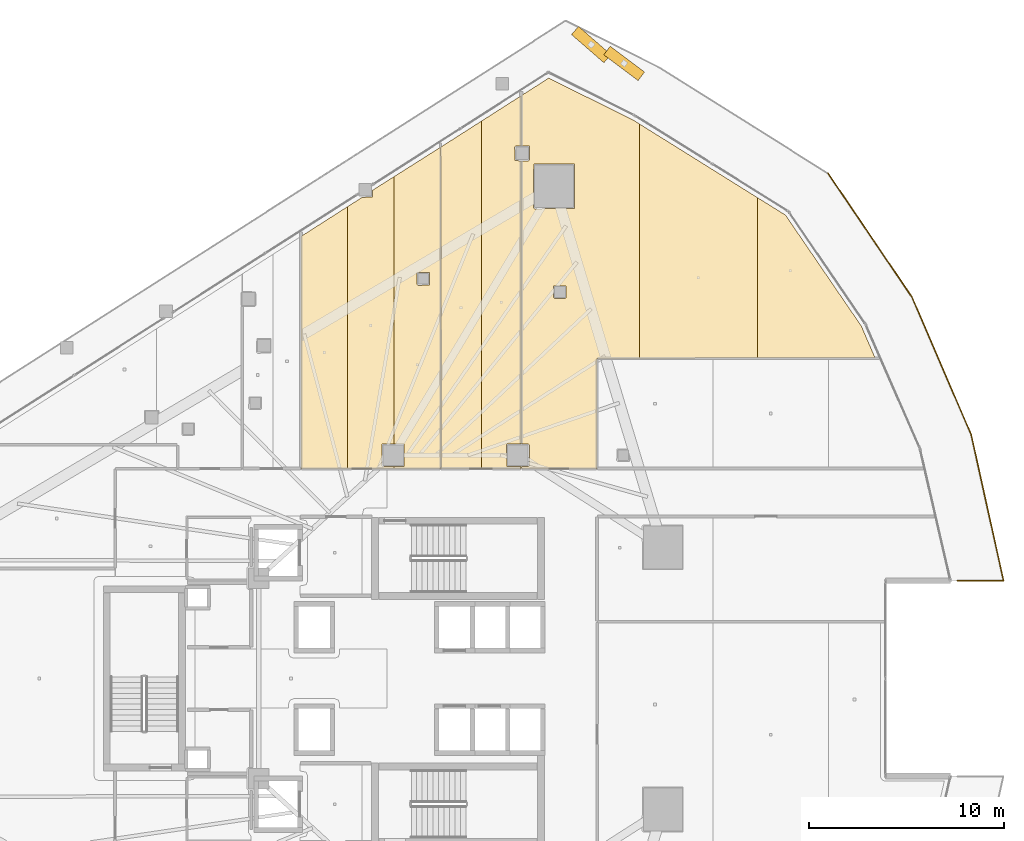
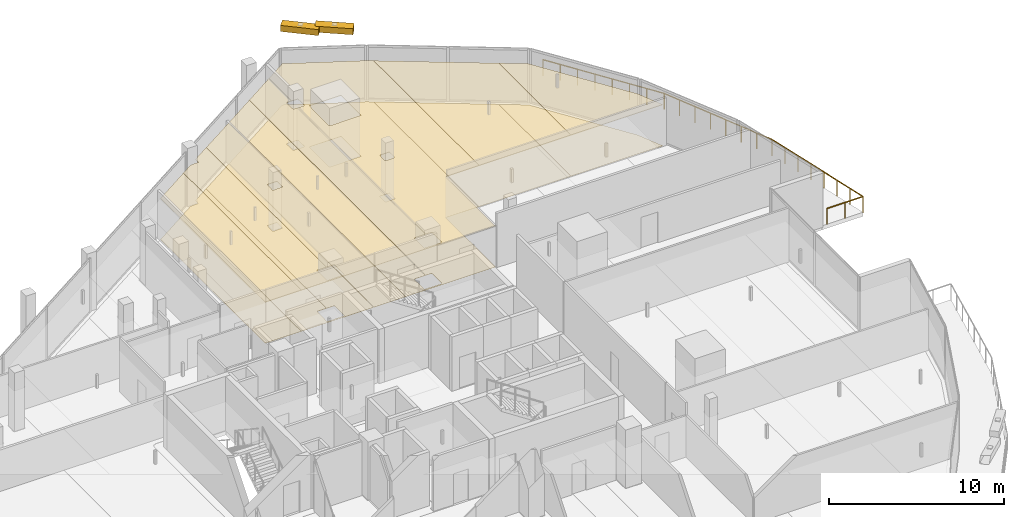
# One storey, part 45 of 45: 16 coverings, 2 shading devices, 1 railing.
"""IFC4 building model written with IfcOpenShell, lengths in metres."""

from ifc_helpers import new_model, si_unit, direction, frame, origin, origin_2d, place, context, subcontext, project, spatial, polyline, rectangle, circle, outline, extrude, material, layer, layer_set, type_object, element, save


model = new_model("IFC4")

# Units and contexts
model_context = context("Model", 3, precision=1e-05, world=origin(), true_north=direction((0.0, 1.0)))
body_context = subcontext(model_context, "Body", "Model", "MODEL_VIEW")
ifc_project = project(units=[si_unit("LENGTHUNIT", "METRE"), si_unit("AREAUNIT", "SQUARE_METRE"), si_unit("VOLUMEUNIT", "CUBIC_METRE"), si_unit("PLANEANGLEUNIT", "RADIAN"), si_unit("MASSUNIT", "GRAM", prefix="KILO")], contexts=[model_context])

# Site, building, storey
site_placement = place(None, origin())
site = spatial("IfcSite", under=ifc_project, at=site_placement, CompositionType="ELEMENT")
building_placement = place(site_placement, origin())
building = spatial("IfcBuilding", under=site, at=building_placement, Name="Qorvath Tower", CompositionType="ELEMENT")
storey_placement = place(building_placement, frame((0.0, 0.0, 109.800048828125)))
storey = spatial("IfcBuildingStorey", under=building, at=storey_placement, Name="L24", CompositionType="ELEMENT", Elevation=109.800048828125)

# Coverings
ifc_material_1 = material(Name="Acoustic mineral fibre ceiling tile", Category="gypsum")
ifc_layer_1 = layer(ifc_material_1, 0.030029296875)
ifc_layer_set_1 = layer_set([ifc_layer_1], Name="COV-CEIL")
covering_type_1 = type_object("IfcCoveringType", Name="COV-CEIL", PredefinedType="CEILING", material=ifc_layer_set_1)
covering_1_placement = place(storey_placement, frame((0.0, 0.0, 2.849853515625)))
element("IfcCovering", 1, at=covering_1_placement, inside=storey, type_object=covering_type_1, Name="L24 Suspended Acoustic Ceiling 014", PredefinedType="CEILING", context=body_context, shape_type="SweptSolid", body=[
    extrude(outline(polyline([(-25.9365234375, 10.762939453125), (-25.9365234375, 24.19677734375), (-28.318359375, 22.674560546875), (-28.318359375, 10.762939453125), (-25.9365234375, 10.762939453125)])), origin(), (0.0, 0.0, 1.0), 0.030029296875),
])
covering_2_placement = place(storey_placement, frame((0.0, 0.0, 2.849853515625)))
element("IfcCovering", 2, at=covering_2_placement, inside=storey, type_object=covering_type_1, Name="L24 Suspended Acoustic Ceiling 015", PredefinedType="CEILING", context=body_context, shape_type="SweptSolid", body=[
    extrude(outline(polyline([(-23.554931640625, 10.762939453125), (-23.554931640625, 10.874267578125), (-24.125, 10.864990234375), (-24.18505859375, 10.925048828125), (-24.16748046875, 12.017333984375), (-23.554931640625, 12.017333984375), (-23.554931640625, 25.735107421875), (-24.652587890625, 25.040771484375), (-24.670166015625, 24.69140625), (-25.190185546875, 24.673828125), (-25.9365234375, 24.19677734375), (-25.9365234375, 10.762939453125), (-23.554931640625, 10.762939453125)])), origin(), (0.0, 0.0, 1.0), 0.030029296875),
])
covering_3_placement = place(storey_placement, frame((0.0, 0.0, 2.849853515625)))
element("IfcCovering", 3, at=covering_3_placement, inside=storey, type_object=covering_type_1, Name="L24 Suspended Acoustic Ceiling 016", PredefinedType="CEILING", context=body_context, shape_type="SweptSolid", body=[
    extrude(outline(polyline([(-21.173095703125, 10.762939453125), (-21.176513671875, 27.239501953125), (-23.554931640625, 25.735107421875), (-23.554931640625, 12.017333984375), (-23.032470703125, 12.017333984375), (-23.032470703125, 10.882568359375), (-23.554931640625, 10.874267578125), (-23.554931640625, 10.762939453125), (-21.173095703125, 10.762939453125)]), holes=[polyline([(-22.38818359375, 20.219970703125), (-22.37060546875, 20.812255859375), (-21.73583984375, 20.812255859375), (-21.73583984375, 20.177490234375), (-22.328125, 20.159912109375), (-22.38818359375, 20.219970703125)])]), origin(), (0.0, 0.0, 1.0), 0.030029296875),
])
covering_4_placement = place(storey_placement, frame((0.0, 0.0, 2.849853515625)))
element("IfcCovering", 4, at=covering_4_placement, inside=storey, type_object=covering_type_1, Name="L24 Suspended Acoustic Ceiling 017", PredefinedType="CEILING", context=body_context, shape_type="SweptSolid", body=[
    extrude(outline(polyline([(-19.071533203125, 10.762939453125), (-19.071533203125, 28.58447265625), (-21.158447265625, 27.250732421875), (-21.155029296875, 10.762939453125), (-19.071533203125, 10.762939453125)])), origin(), (0.0, 0.0, 1.0), 0.030029296875),
])
covering_5_placement = place(storey_placement, frame((0.0, 0.0, 2.849853515625)))
element("IfcCovering", 5, at=covering_5_placement, inside=storey, type_object=covering_type_1, Name="L24 Suspended Acoustic Ceiling 018", PredefinedType="CEILING", context=body_context, shape_type="SweptSolid", body=[
    extrude(outline(polyline([(-17.72509765625, 12.034912109375), (-17.03662109375, 12.034912109375), (-17.03662109375, 26.544189453125), (-17.3486328125, 26.561767578125), (-17.3662109375, 27.254150390625), (-17.30615234375, 27.314208984375), (-17.03662109375, 27.314208984375), (-17.03662109375, 29.885009765625), (-19.071533203125, 28.58447265625), (-19.071533203125, 10.762939453125), (-17.03662109375, 10.762939453125), (-17.03662109375, 10.864990234375), (-17.767333984375, 10.882568359375), (-17.784912109375, 11.97509765625), (-17.72509765625, 12.034912109375)])), origin(), (0.0, 0.0, 1.0), 0.030029296875),
])
covering_6_placement = place(storey_placement, frame((0.0, 0.0, 2.849853515625)))
element("IfcCovering", 6, at=covering_6_placement, inside=storey, type_object=covering_type_1, Name="L24 Suspended Acoustic Ceiling 019", PredefinedType="CEILING", context=body_context, shape_type="SweptSolid", body=[
    extrude(outline(polyline([(-10.971923828125, 16.4208984375), (-10.971923828125, 28.441162109375), (-11.31396484375, 28.65478515625), (-15.62451171875, 30.78759765625), (-17.0185546875, 29.896484375), (-17.0185546875, 27.314208984375), (-16.61376953125, 27.296630859375), (-16.59619140625, 26.604248046875), (-16.65625, 26.544189453125), (-17.0185546875, 26.544189453125), (-17.0185546875, 12.034912109375), (-16.675048828125, 12.034912109375), (-16.614990234375, 11.97509765625), (-16.614990234375, 10.925048828125), (-16.675048828125, 10.864990234375), (-17.0185546875, 10.864990234375), (-17.0185546875, 10.762939453125), (-13.155029296875, 10.762939453125), (-13.14990234375, 16.420166015625), (-10.971923828125, 16.4208984375)]), holes=[polyline([(-16.404296875, 24.14599609375), (-16.38671875, 26.388427734375), (-14.3017578125, 26.388427734375), (-14.3017578125, 24.103759765625), (-16.34423828125, 24.086181640625), (-16.404296875, 24.14599609375)]), polyline([(-15.381103515625, 19.543212890625), (-15.363525390625, 20.135498046875), (-14.728759765625, 20.135498046875), (-14.728759765625, 19.500732421875), (-15.321044921875, 19.483154296875), (-15.381103515625, 19.543212890625)])]), origin(), (0.0, 0.0, 1.0), 0.030029296875),
])
covering_7_placement = place(storey_placement, frame((0.0, 0.0, 2.849853515625)))
element("IfcCovering", 7, at=covering_7_placement, inside=storey, type_object=covering_type_1, Name="L24 Suspended Acoustic Ceiling 020", PredefinedType="CEILING", context=body_context, shape_type="SweptSolid", body=[
    extrude(outline(polyline([(-4.925048828125, 16.423583984375), (-4.925048828125, 24.665771484375), (-10.971923828125, 28.441162109375), (-10.971923828125, 16.4208984375), (-4.925048828125, 16.423583984375)])), origin(), (0.0, 0.0, 1.0), 0.030029296875),
])
covering_8_placement = place(storey_placement, frame((0.0, 0.0, 2.849853515625)))
element("IfcCovering", 8, at=covering_8_placement, inside=storey, type_object=covering_type_1, Name="L24 Suspended Acoustic Ceiling 021", PredefinedType="CEILING", context=body_context, shape_type="SweptSolid", body=[
    extrude(outline(polyline([(-3.474853515625, 23.760498046875), (-4.925048828125, 24.665771484375), (-4.925048828125, 16.423583984375), (1.12158203125, 16.426025390625), (0.4150390625, 18.068115234375), (-3.474853515625, 23.760498046875)])), origin(), (0.0, 0.0, 1.0), 0.030029296875),
])
ifc_material_2 = material(Name="Low-VOC modular carpet tile", Category="textile")
ifc_layer_2 = layer(ifc_material_2, 0.014892578125)
ifc_layer_set_2 = layer_set([ifc_layer_2], Name="COV-FLOOR-CPT")
covering_type_2 = type_object("IfcCoveringType", Name="COV-FLOOR-CPT", PredefinedType="FLOORING", material=ifc_layer_set_2)
covering_9_placement = place(storey_placement, origin())
element("IfcCovering", 9, at=covering_9_placement, inside=storey, type_object=covering_type_2, Name="L24 Floor Finish 014", PredefinedType="FLOORING", context=body_context, shape_type="SweptSolid", body=[
    extrude(outline(polyline([(-25.9365234375, 10.762939453125), (-25.9365234375, 24.19677734375), (-28.318359375, 22.674560546875), (-28.318359375, 10.762939453125), (-25.9365234375, 10.762939453125)])), origin(), (0.0, 0.0, 1.0), 0.014892578125),
])
covering_10_placement = place(storey_placement, origin())
element("IfcCovering", 10, at=covering_10_placement, inside=storey, type_object=covering_type_2, Name="L24 Floor Finish 015", PredefinedType="FLOORING", context=body_context, shape_type="SweptSolid", body=[
    extrude(outline(polyline([(-23.554931640625, 10.762939453125), (-23.554931640625, 10.874267578125), (-24.125, 10.864990234375), (-24.18505859375, 10.925048828125), (-24.16748046875, 12.017333984375), (-23.554931640625, 12.017333984375), (-23.554931640625, 25.735107421875), (-24.652587890625, 25.040771484375), (-24.670166015625, 24.69140625), (-25.190185546875, 24.673828125), (-25.9365234375, 24.19677734375), (-25.9365234375, 10.762939453125), (-23.554931640625, 10.762939453125)])), origin(), (0.0, 0.0, 1.0), 0.014892578125),
])
covering_11_placement = place(storey_placement, origin())
element("IfcCovering", 11, at=covering_11_placement, inside=storey, type_object=covering_type_2, Name="L24 Floor Finish 016", PredefinedType="FLOORING", context=body_context, shape_type="SweptSolid", body=[
    extrude(outline(polyline([(-21.173095703125, 10.762939453125), (-21.176513671875, 27.239501953125), (-23.554931640625, 25.735107421875), (-23.554931640625, 12.017333984375), (-23.032470703125, 12.017333984375), (-23.032470703125, 10.882568359375), (-23.554931640625, 10.874267578125), (-23.554931640625, 10.762939453125), (-21.173095703125, 10.762939453125)]), holes=[polyline([(-22.38818359375, 20.219970703125), (-22.37060546875, 20.812255859375), (-21.73583984375, 20.812255859375), (-21.73583984375, 20.177490234375), (-22.328125, 20.159912109375), (-22.38818359375, 20.219970703125)])]), origin(), (0.0, 0.0, 1.0), 0.014892578125),
])
covering_12_placement = place(storey_placement, origin())
element("IfcCovering", 12, at=covering_12_placement, inside=storey, type_object=covering_type_2, Name="L24 Floor Finish 017", PredefinedType="FLOORING", context=body_context, shape_type="SweptSolid", body=[
    extrude(outline(polyline([(-19.071533203125, 10.762939453125), (-19.071533203125, 28.58447265625), (-21.158447265625, 27.250732421875), (-21.155029296875, 10.762939453125), (-19.071533203125, 10.762939453125)])), origin(), (0.0, 0.0, 1.0), 0.014892578125),
])
covering_13_placement = place(storey_placement, origin())
element("IfcCovering", 13, at=covering_13_placement, inside=storey, type_object=covering_type_2, Name="L24 Floor Finish 018", PredefinedType="FLOORING", context=body_context, shape_type="SweptSolid", body=[
    extrude(outline(polyline([(-17.72509765625, 12.034912109375), (-17.03662109375, 12.034912109375), (-17.03662109375, 26.544189453125), (-17.3486328125, 26.561767578125), (-17.3662109375, 27.254150390625), (-17.30615234375, 27.314208984375), (-17.03662109375, 27.314208984375), (-17.03662109375, 29.885009765625), (-19.071533203125, 28.58447265625), (-19.071533203125, 10.762939453125), (-17.03662109375, 10.762939453125), (-17.03662109375, 10.864990234375), (-17.767333984375, 10.882568359375), (-17.784912109375, 11.97509765625), (-17.72509765625, 12.034912109375)])), origin(), (0.0, 0.0, 1.0), 0.014892578125),
])
covering_14_placement = place(storey_placement, origin())
element("IfcCovering", 14, at=covering_14_placement, inside=storey, type_object=covering_type_2, Name="L24 Floor Finish 019", PredefinedType="FLOORING", context=body_context, shape_type="SweptSolid", body=[
    extrude(outline(polyline([(-10.971923828125, 16.4208984375), (-10.971923828125, 28.441162109375), (-11.31396484375, 28.65478515625), (-15.62451171875, 30.78759765625), (-17.0185546875, 29.896484375), (-17.0185546875, 27.314208984375), (-16.61376953125, 27.296630859375), (-16.59619140625, 26.604248046875), (-16.65625, 26.544189453125), (-17.0185546875, 26.544189453125), (-17.0185546875, 12.034912109375), (-16.675048828125, 12.034912109375), (-16.614990234375, 11.97509765625), (-16.614990234375, 10.925048828125), (-16.675048828125, 10.864990234375), (-17.0185546875, 10.864990234375), (-17.0185546875, 10.762939453125), (-13.155029296875, 10.762939453125), (-13.14990234375, 16.420166015625), (-10.971923828125, 16.4208984375)]), holes=[polyline([(-16.404296875, 24.14599609375), (-16.38671875, 26.388427734375), (-14.3017578125, 26.388427734375), (-14.3017578125, 24.103759765625), (-16.34423828125, 24.086181640625), (-16.404296875, 24.14599609375)]), polyline([(-15.381103515625, 19.543212890625), (-15.363525390625, 20.135498046875), (-14.728759765625, 20.135498046875), (-14.728759765625, 19.500732421875), (-15.321044921875, 19.483154296875), (-15.381103515625, 19.543212890625)])]), origin(), (0.0, 0.0, 1.0), 0.014892578125),
])
covering_15_placement = place(storey_placement, origin())
element("IfcCovering", 15, at=covering_15_placement, inside=storey, type_object=covering_type_2, Name="L24 Floor Finish 020", PredefinedType="FLOORING", context=body_context, shape_type="SweptSolid", body=[
    extrude(outline(polyline([(-4.925048828125, 16.423583984375), (-4.925048828125, 24.665771484375), (-10.971923828125, 28.441162109375), (-10.971923828125, 16.4208984375), (-4.925048828125, 16.423583984375)])), origin(), (0.0, 0.0, 1.0), 0.014892578125),
])
covering_16_placement = place(storey_placement, origin())
element("IfcCovering", 16, at=covering_16_placement, inside=storey, type_object=covering_type_2, Name="L24 Floor Finish 021", PredefinedType="FLOORING", context=body_context, shape_type="SweptSolid", body=[
    extrude(outline(polyline([(-3.474853515625, 23.760498046875), (-4.925048828125, 24.665771484375), (-4.925048828125, 16.423583984375), (1.12158203125, 16.426025390625), (0.4150390625, 18.068115234375), (-3.474853515625, 23.760498046875)])), origin(), (0.0, 0.0, 1.0), 0.014892578125),
])

# Railing
ifc_material_3 = material(Name="Laminated safety glass and stainless steel AISI 316", Category="steel")
railing_type = type_object("IfcRailingType", Name="RL-EXT-GRD", PredefinedType="GUARDRAIL", material=ifc_material_3)
railing_placement = place(storey_placement, frame((-1.291015625, 25.9052734375, 0.0)))
element("IfcRailing", 17, at=railing_placement, inside=storey, type_object=railing_type, Name="Loggia Perimeter Guardrail L24-1.1", PredefinedType="GUARDRAIL", context=body_context, shape_type="SweptSolid", body=[
    extrude(circle(Radius=0.02392578125, at=origin_2d()), frame((0.0, 0.0, 1.09619140625), z_axis=(0.560822820527, -0.827935845326, 0.0), x_axis=(0.827935845326, 0.560822820527, 0.0)), (0.0, 0.0, 1.0), 7.673828125),
    extrude(circle(Radius=0.02392578125, at=origin_2d()), frame((4.3037109375, -6.353515625, 1.09619140625), z_axis=(0.395466178511, -0.918480539616, 0.0), x_axis=(0.918480539616, 0.395466178511, 0.0)), (0.0, 0.0, 1.0), 7.673583984375),
    extrude(circle(Radius=0.02392578125, at=origin_2d()), frame((7.33837890625, -13.401611328125, 1.09619140625), z_axis=(0.216088212472, -0.976373844606, 0.0), x_axis=(0.976373844606, 0.216088212472, 0.0)), (0.0, 0.0, 1.0), 7.673828125),
    extrude(circle(Radius=0.02392578125, at=origin_2d()), frame((8.99658203125, -20.89404296875, 1.09619140625), z_axis=(-1.0, 0.0, 0.0), x_axis=(0.0, -1.0, 0.0)), (0.0, 0.0, 1.0), 2.366455078125),
    extrude(circle(Radius=0.02099609375, at=origin_2d()), origin(), (0.0, 0.0, 1.0), 1.072021484375),
    extrude(circle(Radius=0.02099609375, at=origin_2d()), frame((0.61474609375, -0.90771484375, 0.0)), (0.0, 0.0, 1.0), 1.072021484375),
    extrude(circle(Radius=0.02099609375, at=origin_2d()), frame((1.229736328125, -1.815185546875, 0.0)), (0.0, 0.0, 1.0), 1.072021484375),
    extrude(circle(Radius=0.02099609375, at=origin_2d()), frame((1.844482421875, -2.722900390625, 0.0)), (0.0, 0.0, 1.0), 1.072021484375),
    extrude(circle(Radius=0.02099609375, at=origin_2d()), frame((2.459228515625, -3.630615234375, 0.0)), (0.0, 0.0, 1.0), 1.072021484375),
    extrude(circle(Radius=0.02099609375, at=origin_2d()), frame((3.073974609375, -4.538330078125, 0.0)), (0.0, 0.0, 1.0), 1.072021484375),
    extrude(circle(Radius=0.02099609375, at=origin_2d()), frame((3.68896484375, -5.44580078125, 0.0)), (0.0, 0.0, 1.0), 1.072021484375),
    extrude(circle(Radius=0.02099609375, at=origin_2d()), frame((4.3037109375, -6.353515625, 0.0)), (0.0, 0.0, 1.0), 1.072021484375),
    extrude(circle(Radius=0.02099609375, at=origin_2d()), frame((4.7373046875, -7.3603515625, 0.0)), (0.0, 0.0, 1.0), 1.072021484375),
    extrude(circle(Radius=0.02099609375, at=origin_2d()), frame((5.170654296875, -8.3671875, 0.0)), (0.0, 0.0, 1.0), 1.072021484375),
    extrude(circle(Radius=0.02099609375, at=origin_2d()), frame((5.604248046875, -9.3740234375, 0.0)), (0.0, 0.0, 1.0), 1.072021484375),
    extrude(circle(Radius=0.02099609375, at=origin_2d()), frame((6.037841796875, -10.381103515625, 0.0)), (0.0, 0.0, 1.0), 1.072021484375),
    extrude(circle(Radius=0.02099609375, at=origin_2d()), frame((6.471435546875, -11.387939453125, 0.0)), (0.0, 0.0, 1.0), 1.072021484375),
    extrude(circle(Radius=0.02099609375, at=origin_2d()), frame((6.90478515625, -12.394775390625, 0.0)), (0.0, 0.0, 1.0), 1.072021484375),
    extrude(circle(Radius=0.02099609375, at=origin_2d()), frame((7.33837890625, -13.401611328125, 0.0)), (0.0, 0.0, 1.0), 1.072021484375),
    extrude(circle(Radius=0.02099609375, at=origin_2d()), frame((7.5751953125, -14.471923828125, 0.0)), (0.0, 0.0, 1.0), 1.072021484375),
    extrude(circle(Radius=0.02099609375, at=origin_2d()), frame((7.812255859375, -15.542236328125, 0.0)), (0.0, 0.0, 1.0), 1.072021484375),
    extrude(circle(Radius=0.02099609375, at=origin_2d()), frame((8.049072265625, -16.612548828125, 0.0)), (0.0, 0.0, 1.0), 1.072021484375),
    extrude(circle(Radius=0.02099609375, at=origin_2d()), frame((8.285888671875, -17.68310546875, 0.0)), (0.0, 0.0, 1.0), 1.072021484375),
    extrude(circle(Radius=0.02099609375, at=origin_2d()), frame((8.522705078125, -18.75341796875, 0.0)), (0.0, 0.0, 1.0), 1.072021484375),
    extrude(circle(Radius=0.02099609375, at=origin_2d()), frame((8.759765625, -19.82373046875, 0.0)), (0.0, 0.0, 1.0), 1.072021484375),
    extrude(circle(Radius=0.02099609375, at=origin_2d()), frame((8.99658203125, -20.89404296875, 0.0)), (0.0, 0.0, 1.0), 1.072021484375),
    extrude(circle(Radius=0.02099609375, at=origin_2d()), frame((7.8134765625, -20.89404296875, 0.0)), (0.0, 0.0, 1.0), 1.072021484375),
    extrude(circle(Radius=0.02099609375, at=origin_2d()), frame((6.630126953125, -20.89404296875, 0.0)), (0.0, 0.0, 1.0), 1.072021484375),
])

# Shading devices
ifc_material_4 = material(Name="Anodised bronze-champagne aluminium", Category="aluminium")
shading_device_type = type_object("IfcShadingDeviceType", Name="SD-LOUVRE", PredefinedType="JALOUSIE", material=ifc_material_4)
for number, where, z_axis, x_axis, name in (
    (18, (-11.753662109375, 31.5458984375, 3.35009765625), (0.0, 0.0, 1.0), (-0.799902575432, 0.600129877458, 0.0), "Sinusoidal Wave Louvre Blade L24-05"),
    (19, (-13.44189453125, 32.5087890625, 3.35009765625), (0.0, 0.0, 1.0), (-0.75474851022, 0.656014242467, 0.0), "Sinusoidal Wave Louvre Blade L24-06"),
):
    element("IfcShadingDevice", number, at=place(storey_placement, frame(where, z_axis=z_axis, x_axis=x_axis)), inside=storey, type_object=shading_device_type, Name=name, PredefinedType="NOTDEFINED", context=body_context, shape_type="SweptSolid", body=[
        extrude(rectangle(XDim=2.199951171875, YDim=0.550048828125, at=origin_2d()), origin(), (0.0, 0.0, 1.0), 0.419921875),
    ])

save(model, "model.ifc")
